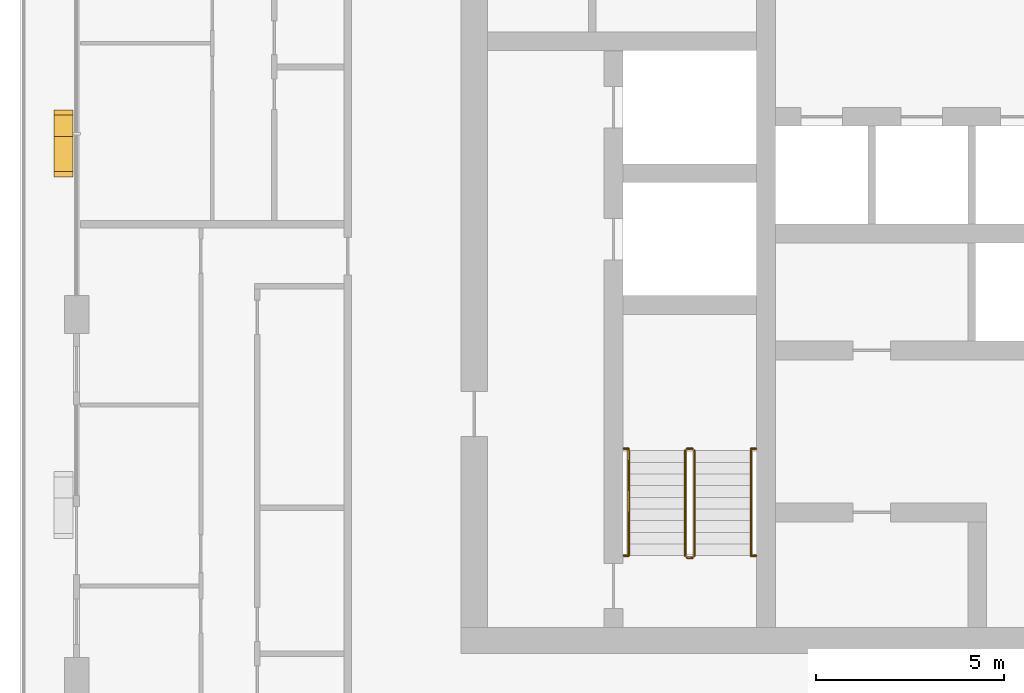
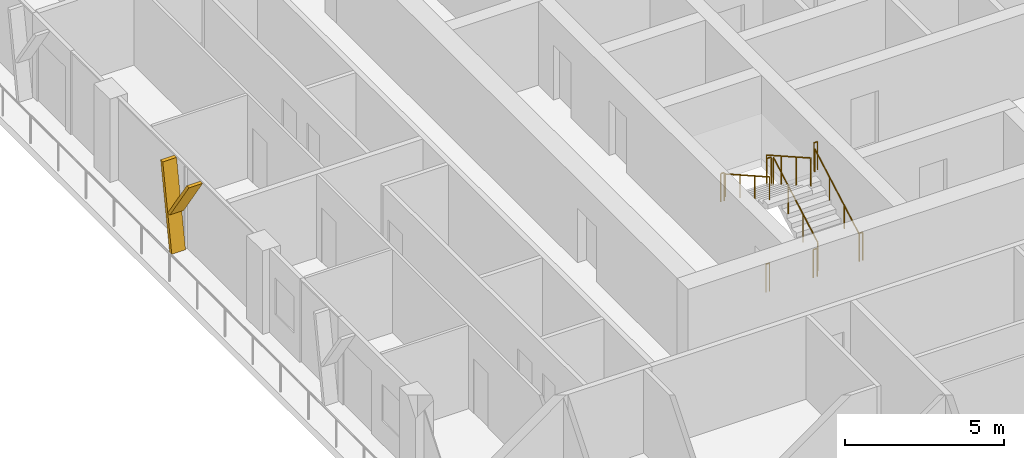
# One storey, part 17 of 21: 10 railings, 2 shading devices.
"""IFC4 building model written with IfcOpenShell, lengths in metres."""

from ifc_helpers import new_model, si_unit, direction, frame, origin, origin_2d, place, context, subcontext, project, spatial, polyline, circle, outline, extrude, material, type_object, element, save


model = new_model("IFC4")

# Units and contexts
model_context = context("Model", 3, precision=1e-05, world=origin(), true_north=direction((0.0, 1.0)))
body_context = subcontext(model_context, "Body", "Model", "MODEL_VIEW")
ifc_project = project(units=[si_unit("LENGTHUNIT", "METRE"), si_unit("AREAUNIT", "SQUARE_METRE"), si_unit("VOLUMEUNIT", "CUBIC_METRE"), si_unit("PLANEANGLEUNIT", "RADIAN"), si_unit("MASSUNIT", "GRAM", prefix="KILO")], contexts=[model_context])

# Site, building, storey
site_placement = place(None, origin())
site = spatial("IfcSite", under=ifc_project, at=site_placement, CompositionType="ELEMENT")
building_placement = place(site_placement, origin())
building = spatial("IfcBuilding", under=site, at=building_placement, Name="Madar Terraces", CompositionType="ELEMENT")
storey_placement = place(building_placement, frame((0.0, 0.0, 185.89990234375)))
storey = spatial("IfcBuildingStorey", under=building, at=storey_placement, Name="L48", CompositionType="ELEMENT", Elevation=185.89990234375)

# Shading devices
ifc_material_1 = material(Name="Aluminium, black anodised", Category="aluminium")
shading_device_type = type_object("IfcShadingDeviceType", Name="Facade fin blade 140 x 500", PredefinedType="USERDEFINED", material=ifc_material_1)
shading_device_1_placement = place(storey_placement, frame((4.449951171875, 28.8701171875, 0.0), z_axis=(0.0, 0.0, 1.0), x_axis=(0.0, -1.0, 0.0)))
element("IfcShadingDevice", 1, at=shading_device_1_placement, inside=storey, type_object=shading_device_type, Name="FIN L48 W2", ObjectType="FIN", PredefinedType="USERDEFINED", context=body_context, shape_type="SweptSolid", body=[
    extrude(outline(polyline([(0.0, 0.0), (0.14013671875, 0.0), (-0.42431640625, 3.2001953125), (-0.564208984375, 3.2001953125), (0.0, 0.0)])), frame((0.0, 0.25, 0.0), z_axis=(0.0, -1.0, 0.0), x_axis=(1.0, 0.0, 0.0)), (0.0, 0.0, 1.0), 0.5),
])
shading_device_2_placement = place(storey_placement, frame((4.449951171875, 28.98388671875, 1.440185546875), z_axis=(0.0, 0.0, 1.0), x_axis=(0.0, -1.0, 0.0)))
element("IfcShadingDevice", 2, at=shading_device_2_placement, inside=storey, type_object=shading_device_type, Name="FIN L48 W2 branch", ObjectType="FIN", PredefinedType="USERDEFINED", context=body_context, shape_type="SweptSolid", body=[
    extrude(outline(polyline([(0.0, 0.0), (0.139892578125, 0.0), (1.32958984375, 1.760009765625), (1.189697265625, 1.760009765625), (0.0, 0.0)])), frame((0.0, 0.25, 0.0), z_axis=(0.0, -1.0, 0.0), x_axis=(1.0, 0.0, 0.0)), (0.0, 0.0, 1.0), 0.5),
])

# Railings
ifc_material_2 = material(Name="Stainless steel railing", Category="steel")
railing_type_1 = type_object("IfcRailingType", Name="Stair guard 1100", PredefinedType="GUARDRAIL", material=ifc_material_2)
railing_1_placement = place(storey_placement, frame((21.199951171875, 17.60009765625, 0.175048828125)))
element("IfcRailing", 3, at=railing_1_placement, inside=storey, type_object=railing_type_1, Name="L48 ST1 stair guard 1", PredefinedType="GUARDRAIL", context=body_context, shape_type="SweptSolid", body=[
    extrude(circle(Radius=0.02392578125, at=origin_2d()), frame((0.0, 0.0, 1.076171875), z_axis=(0.0, 0.870815363784, 0.491610213684), x_axis=(-1.0, 0.0, 0.0)), (0.0, 0.0, 1.0), 3.20361328125),
    extrude(circle(Radius=0.02099609375, at=origin_2d()), origin(), (0.0, 0.0, 1.0), 1.052001953125),
    extrude(circle(Radius=0.02099609375, at=origin_2d()), frame((0.0, 0.929931640625, 0.52490234375)), (0.0, 0.0, 1.0), 1.052001953125),
    extrude(circle(Radius=0.02099609375, at=origin_2d()), frame((0.0, 1.85986328125, 1.050048828125)), (0.0, 0.0, 1.0), 1.052001953125),
    extrude(circle(Radius=0.02099609375, at=origin_2d()), frame((0.0, 2.789794921875, 1.574951171875)), (0.0, 0.0, 1.0), 1.052001953125),
])
railing_2_placement = place(storey_placement, frame((21.14990234375, 20.43994140625, 1.75)))
element("IfcRailing", 4, at=railing_2_placement, inside=storey, type_object=railing_type_1, Name="L48 ST1 stair guard 2", PredefinedType="GUARDRAIL", context=body_context, shape_type="SweptSolid", body=[
    extrude(circle(Radius=0.02392578125, at=origin_2d()), frame((0.0, 0.0, 1.076171875), z_axis=(-1.0, 0.0, 0.0), x_axis=(0.0, -1.0, 0.0)), (0.0, 0.0, 1.0), 0.14990234375),
    extrude(circle(Radius=0.02099609375, at=origin_2d()), origin(), (0.0, 0.0, 1.0), 1.052001953125),
    extrude(circle(Radius=0.02099609375, at=origin_2d()), frame((-0.14990234375, 0.0, 0.0)), (0.0, 0.0, 1.0), 1.052001953125),
])
railing_3_placement = place(storey_placement, frame((20.949951171875, 20.389892578125, 1.925048828125)))
element("IfcRailing", 5, at=railing_3_placement, inside=storey, type_object=railing_type_1, Name="L48 ST1 stair guard 3", PredefinedType="GUARDRAIL", context=body_context, shape_type="SweptSolid", body=[
    extrude(circle(Radius=0.02392578125, at=origin_2d()), frame((0.0, 0.0, 1.076171875), z_axis=(0.0, -0.870815363784, 0.491610213684), x_axis=(1.0, 0.0, 0.0)), (0.0, 0.0, 1.0), 3.20361328125),
    extrude(circle(Radius=0.02099609375, at=origin_2d()), origin(), (0.0, 0.0, 1.0), 1.052001953125),
    extrude(circle(Radius=0.02099609375, at=origin_2d()), frame((0.0, -0.929931640625, 0.52490234375)), (0.0, 0.0, 1.0), 1.052001953125),
    extrude(circle(Radius=0.02099609375, at=origin_2d()), frame((0.0, -1.85986328125, 1.050048828125)), (0.0, 0.0, 1.0), 1.052001953125),
    extrude(circle(Radius=0.02099609375, at=origin_2d()), frame((0.0, -2.789794921875, 1.574951171875)), (0.0, 0.0, 1.0), 1.052001953125),
])
railing_4_placement = place(storey_placement, frame((21.14990234375, 17.550048828125, 0.0)))
element("IfcRailing", 6, at=railing_4_placement, inside=storey, type_object=railing_type_1, Name="L48 ST1 stair guard 4", PredefinedType="GUARDRAIL", context=body_context, shape_type="SweptSolid", body=[
    extrude(circle(Radius=0.02392578125, at=origin_2d()), frame((0.0, 0.0, 1.076171875), z_axis=(-1.0, 0.0, 0.0), x_axis=(0.0, -1.0, 0.0)), (0.0, 0.0, 1.0), 0.14990234375),
    extrude(circle(Radius=0.02099609375, at=origin_2d()), origin(), (0.0, 0.0, 1.0), 1.052001953125),
    extrude(circle(Radius=0.02099609375, at=origin_2d()), frame((-0.14990234375, 0.0, 0.0)), (0.0, 0.0, 1.0), 1.052001953125),
])
railing_5_placement = place(storey_placement, frame((19.320068359375, 20.43994140625, 1.75)))
element("IfcRailing", 7, at=railing_5_placement, inside=storey, type_object=railing_type_1, Name="L48 stair guard seat 1", PredefinedType="GUARDRAIL", context=body_context, shape_type="SweptSolid", body=[
    extrude(circle(Radius=0.02392578125, at=origin_2d()), frame((0.0, 0.0, 1.076171875), z_axis=(1.0, 0.0, 0.0), x_axis=(0.0, 1.0, 0.0)), (0.0, 0.0, 1.0), 0.1298828125),
    extrude(circle(Radius=0.02099609375, at=origin_2d()), origin(), (0.0, 0.0, 1.0), 1.052001953125),
    extrude(circle(Radius=0.02099609375, at=origin_2d()), frame((0.1298828125, 0.0, 0.0)), (0.0, 0.0, 1.0), 1.052001953125),
])
railing_6_placement = place(storey_placement, frame((22.699951171875, 20.43994140625, 1.75)))
element("IfcRailing", 8, at=railing_6_placement, inside=storey, type_object=railing_type_1, Name="L48 stair guard seat 2", PredefinedType="GUARDRAIL", context=body_context, shape_type="SweptSolid", body=[
    extrude(circle(Radius=0.02392578125, at=origin_2d()), frame((0.0, 0.0, 1.076171875), z_axis=(1.0, 0.0, 0.0), x_axis=(0.0, 1.0, 0.0)), (0.0, 0.0, 1.0), 0.130126953125),
    extrude(circle(Radius=0.02099609375, at=origin_2d()), origin(), (0.0, 0.0, 1.0), 1.052001953125),
    extrude(circle(Radius=0.02099609375, at=origin_2d()), frame((0.130126953125, 0.0, 0.0)), (0.0, 0.0, 1.0), 1.052001953125),
])
railing_7_placement = place(storey_placement, frame((19.320068359375, 17.60009765625, 0.0)))
element("IfcRailing", 9, at=railing_7_placement, inside=storey, type_object=railing_type_1, Name="L48 stair guard floor 1", PredefinedType="GUARDRAIL", context=body_context, shape_type="SweptSolid", body=[
    extrude(circle(Radius=0.02392578125, at=origin_2d()), frame((0.0, 0.0, 1.076171875), z_axis=(1.0, 0.0, 0.0), x_axis=(0.0, 1.0, 0.0)), (0.0, 0.0, 1.0), 0.1298828125),
    extrude(circle(Radius=0.02099609375, at=origin_2d()), origin(), (0.0, 0.0, 1.0), 1.052001953125),
    extrude(circle(Radius=0.02099609375, at=origin_2d()), frame((0.1298828125, 0.0, 0.0)), (0.0, 0.0, 1.0), 1.052001953125),
])
railing_8_placement = place(storey_placement, frame((22.699951171875, 17.60009765625, 0.0)))
element("IfcRailing", 10, at=railing_8_placement, inside=storey, type_object=railing_type_1, Name="L48 stair guard floor 2", PredefinedType="GUARDRAIL", context=body_context, shape_type="SweptSolid", body=[
    extrude(circle(Radius=0.02392578125, at=origin_2d()), frame((0.0, 0.0, 1.076171875), z_axis=(1.0, 0.0, 0.0), x_axis=(0.0, 1.0, 0.0)), (0.0, 0.0, 1.0), 0.130126953125),
    extrude(circle(Radius=0.02099609375, at=origin_2d()), origin(), (0.0, 0.0, 1.0), 1.052001953125),
    extrude(circle(Radius=0.02099609375, at=origin_2d()), frame((0.130126953125, 0.0, 0.0)), (0.0, 0.0, 1.0), 1.052001953125),
])
ifc_material_3 = material(Name="Stainless steel railing", Category="steel")
railing_type_2 = type_object("IfcRailingType", Name="Stair handrail 900", PredefinedType="HANDRAIL", material=ifc_material_3)
railing_9_placement = place(storey_placement, frame((22.699951171875, 17.60009765625, 0.175048828125)))
element("IfcRailing", 11, at=railing_9_placement, inside=storey, type_object=railing_type_2, Name="L48 ST1 stair handrail 1", PredefinedType="HANDRAIL", context=body_context, shape_type="SweptSolid", body=[
    extrude(circle(Radius=0.02392578125, at=origin_2d()), frame((0.0, 0.0, 0.8759765625), z_axis=(0.0, 0.870815363784, 0.491610213684), x_axis=(-1.0, 0.0, 0.0)), (0.0, 0.0, 1.0), 3.20361328125),
    extrude(circle(Radius=0.02099609375, at=origin_2d()), origin(), (0.0, 0.0, 1.0), 0.851806640625),
    extrude(circle(Radius=0.02099609375, at=origin_2d()), frame((0.0, 0.929931640625, 0.52490234375)), (0.0, 0.0, 1.0), 0.851806640625),
    extrude(circle(Radius=0.02099609375, at=origin_2d()), frame((0.0, 1.85986328125, 1.050048828125)), (0.0, 0.0, 1.0), 0.851806640625),
    extrude(circle(Radius=0.02099609375, at=origin_2d()), frame((0.0, 2.789794921875, 1.574951171875)), (0.0, 0.0, 1.0), 0.851806640625),
])
railing_10_placement = place(storey_placement, frame((19.449951171875, 20.389892578125, 1.925048828125)))
element("IfcRailing", 12, at=railing_10_placement, inside=storey, type_object=railing_type_2, Name="L48 ST1 stair handrail 2", PredefinedType="HANDRAIL", context=body_context, shape_type="SweptSolid", body=[
    extrude(circle(Radius=0.02392578125, at=origin_2d()), frame((0.0, 0.0, 0.8759765625), z_axis=(0.0, -0.870815363784, 0.491610213684), x_axis=(1.0, 0.0, 0.0)), (0.0, 0.0, 1.0), 3.20361328125),
    extrude(circle(Radius=0.02099609375, at=origin_2d()), origin(), (0.0, 0.0, 1.0), 0.851806640625),
    extrude(circle(Radius=0.02099609375, at=origin_2d()), frame((0.0, -0.929931640625, 0.52490234375)), (0.0, 0.0, 1.0), 0.851806640625),
    extrude(circle(Radius=0.02099609375, at=origin_2d()), frame((0.0, -1.85986328125, 1.050048828125)), (0.0, 0.0, 1.0), 0.851806640625),
    extrude(circle(Radius=0.02099609375, at=origin_2d()), frame((0.0, -2.789794921875, 1.574951171875)), (0.0, 0.0, 1.0), 0.851806640625),
])

save(model, "model.ifc")
